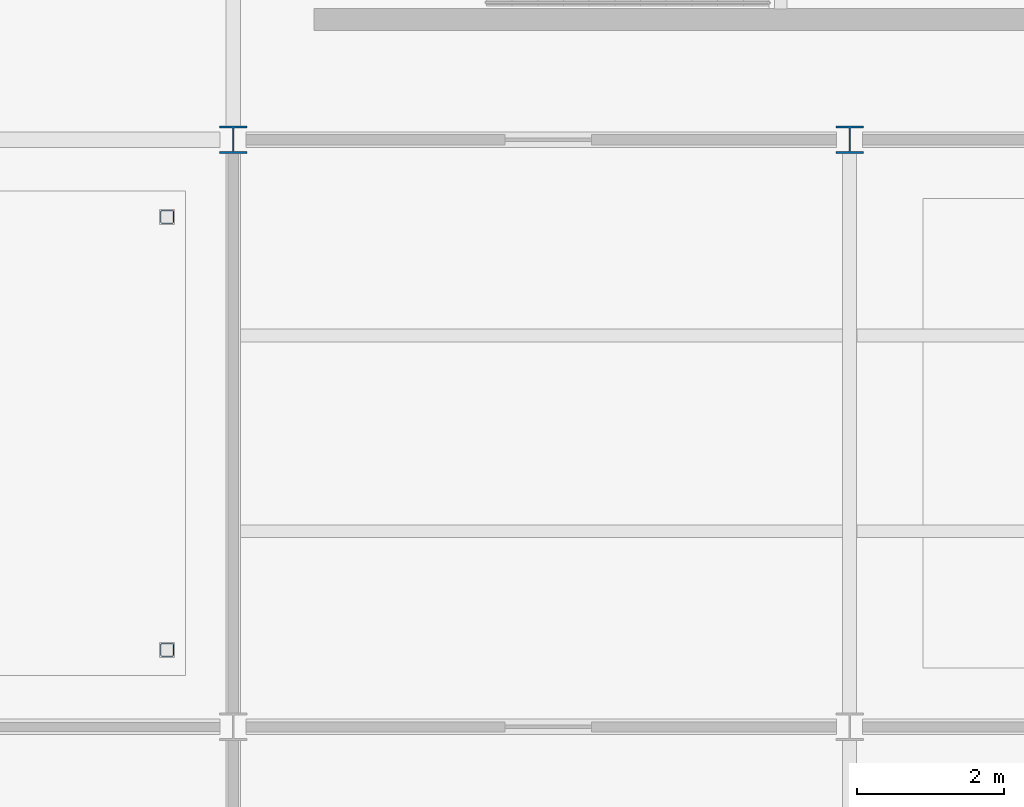
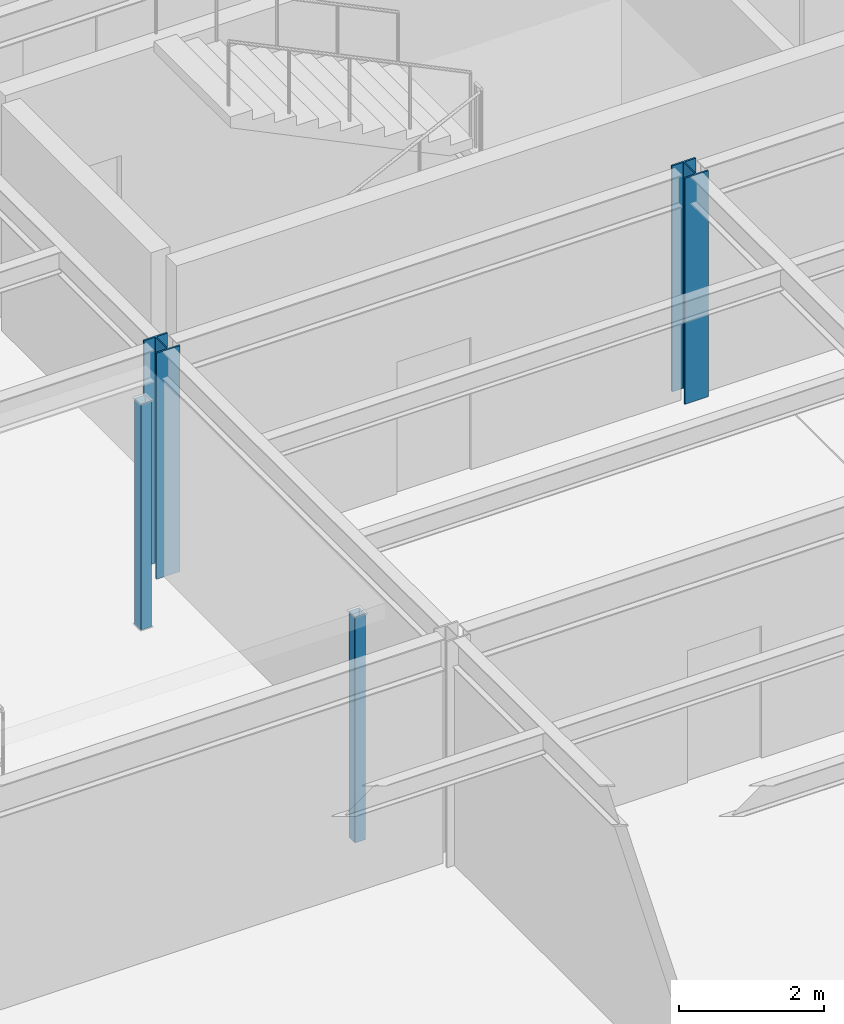
# One storey, part 3 of 138: 4 columns.
"""IFC4 building model written with IfcOpenShell, lengths in metres."""

from ifc_helpers import new_model, si_unit, direction, frame, origin, origin_2d, place, context, subcontext, project, spatial, hollow_rectangle, i_section, extrude, material, material_profile, profile_set, type_object, element, save


model = new_model("IFC4")

# Units and contexts
model_context = context("Model", 3, precision=1e-05, world=origin(), true_north=direction((0.0, 1.0)))
body_context = subcontext(model_context, "Body", "Model", "MODEL_VIEW")
ifc_project = project(units=[si_unit("LENGTHUNIT", "METRE"), si_unit("AREAUNIT", "SQUARE_METRE"), si_unit("VOLUMEUNIT", "CUBIC_METRE"), si_unit("PLANEANGLEUNIT", "RADIAN"), si_unit("MASSUNIT", "GRAM", prefix="KILO")], contexts=[model_context])

# Site, building, storey
site_placement = place(None, origin())
site = spatial("IfcSite", under=ifc_project, at=site_placement, CompositionType="ELEMENT")
building_placement = place(site_placement, origin())
building = spatial("IfcBuilding", under=site, at=building_placement, Name="Kranzveld Transit Interchange", CompositionType="ELEMENT")
storey_placement = place(building_placement, frame((0.0, 0.0, 5.43994140625)))
storey = spatial("IfcBuildingStorey", under=building, at=storey_placement, Name="L01", CompositionType="ELEMENT", Elevation=5.43994140625)

# Columns
ifc_material_1 = material(Name="Steel S355JR", Category="steel")
ifc_material_profile_1 = material_profile(ifc_material_1, i_section(OverallWidth=0.374755859375, OverallDepth=0.37451171875, WebThickness=0.0166015625, FlangeThickness=0.027099609375, FilletRadius=0.01513671875, at=origin_2d()), Name="UC 356x368x202")
ifc_profile_set_1 = profile_set([ifc_material_profile_1], Name="Steel S355JR")
column_type_1 = type_object("IfcColumnType", Name="Column Steel UC 356x368x202 S355JR", PredefinedType="COLUMN", material=ifc_profile_set_1)
for number, where, z_axis, x_axis, name in (
    (1, (50.39990234375, 32.0, 0.0), (0.0, 0.0, 1.0), (1.0, 0.0, 0.0), "L01 Column 07/E"),
    (2, (58.800048828125, 32.0, 0.0), (0.0, 0.0, 1.0), (1.0, 0.0, 0.0), "L01 Column 08/E"),
):
    element("IfcColumn", number, at=place(storey_placement, frame(where, z_axis=z_axis, x_axis=x_axis)), inside=storey, type_object=column_type_1, Name=name, PredefinedType="COLUMN", context=body_context, shape_type="SweptSolid", body=[
        extrude(i_section(OverallWidth=0.374755859375, OverallDepth=0.37451171875, WebThickness=0.0166015625, FlangeThickness=0.027099609375, FilletRadius=0.01513671875, at=origin_2d()), origin(), (0.0, 0.0, 1.0), 3.800048828125),
    ])
ifc_material_2 = material(Name="Steel S355JR", Category="steel")
ifc_material_profile_2 = material_profile(ifc_material_2, hollow_rectangle(XDim=0.179931640625, YDim=0.179931640625, WallThickness=0.008056640625, InnerFilletRadius=0.011962890625, OuterFilletRadius=0.02001953125, at=origin_2d()), Name="SHS 180x180x8")
ifc_profile_set_2 = profile_set([ifc_material_profile_2], Name="Steel S355JR")
column_type_2 = type_object("IfcColumnType", Name="Landing Post SHS 180x180x8 S355JR", PredefinedType="COLUMN", material=ifc_profile_set_2)
for number, where, z_axis, x_axis, name in (
    (3, (49.5, 25.050048828125, 0.001953125), (0.0, 0.0, 1.0), (1.0, 0.0, 0.0), "L01 RMP-2 Arrival Support Post 1"),
    (4, (49.5, 30.949951171875, 0.001953125), (0.0, 0.0, 1.0), (1.0, 0.0, 0.0), "L01 RMP-2 Arrival Support Post 2"),
):
    element("IfcColumn", number, at=place(storey_placement, frame(where, z_axis=z_axis, x_axis=x_axis)), inside=storey, type_object=column_type_2, Name=name, PredefinedType="COLUMN", context=body_context, shape_type="SweptSolid", body=[
        extrude(hollow_rectangle(XDim=0.179931640625, YDim=0.179931640625, WallThickness=0.008056640625, InnerFilletRadius=0.011962890625, OuterFilletRadius=0.02001953125, at=origin_2d()), origin(), (0.0, 0.0, 1.0), 3.794189453125),
    ])

save(model, "model.ifc")
